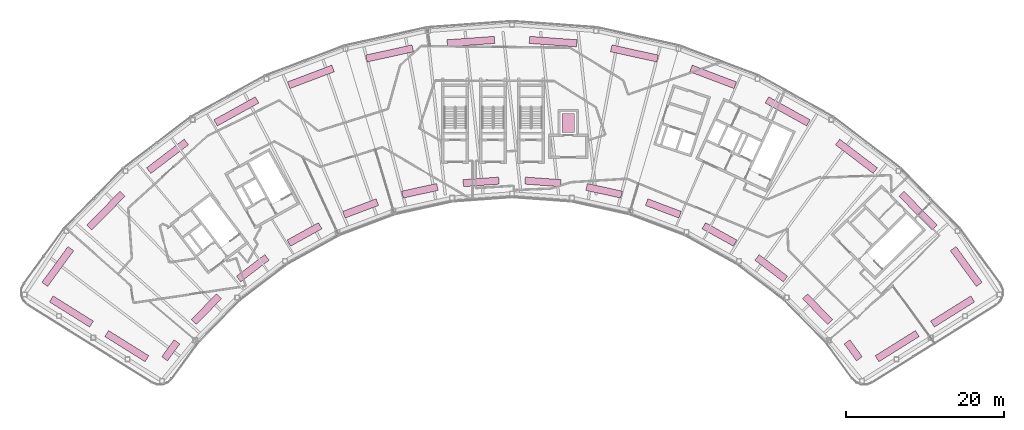
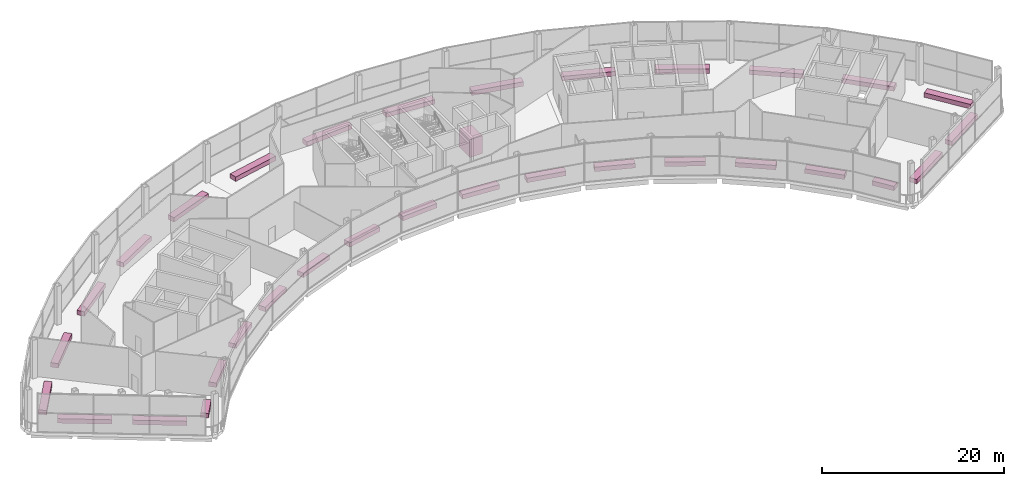
# One storey, part 44 of 44: 32 furnishings, 1 transport element.
"""IFC4 building model written with IfcOpenShell, lengths in metres."""

from ifc_helpers import new_model, si_unit, direction, frame, origin, origin_2d, place, context, subcontext, project, spatial, rectangle, extrude, material, type_object, element, save


model = new_model("IFC4")

# Units and contexts
model_context = context("Model", 3, precision=1e-05, world=origin(), true_north=direction((0.0, 1.0)))
body_context = subcontext(model_context, "Body", "Model", "MODEL_VIEW")
ifc_project = project(units=[si_unit("LENGTHUNIT", "METRE"), si_unit("AREAUNIT", "SQUARE_METRE"), si_unit("VOLUMEUNIT", "CUBIC_METRE"), si_unit("PLANEANGLEUNIT", "RADIAN"), si_unit("MASSUNIT", "GRAM", prefix="KILO")], contexts=[model_context])

# Site, building, storey
site_placement = place(None, origin())
site = spatial("IfcSite", under=ifc_project, at=site_placement, CompositionType="ELEMENT")
building_placement = place(site_placement, origin())
building = spatial("IfcBuilding", under=site, at=building_placement, Name="Tuul Gate Civic Tower", CompositionType="ELEMENT")
storey_placement = place(building_placement, frame((0.0, 0.0, 354.60009765625)))
storey = spatial("IfcBuildingStorey", under=building, at=storey_placement, Name="Observation level 2", CompositionType="ELEMENT", Elevation=354.60009765625)

# Transport element
ifc_material_1 = material(Name="Stainless steel", Category="steel")
transport_element_type = type_object("IfcTransportElementType", Name="Lift car", PredefinedType="ELEVATOR", material=ifc_material_1)
transport_element_placement = place(storey_placement, frame((9.300048828125, 1.39990234375, 0.0), z_axis=(0.0, 0.0, 1.0), x_axis=(1.0, 0.0, 0.0)))
element("IfcTransportElement", 1, at=transport_element_placement, inside=storey, type_object=transport_element_type, Name="Crown lift X4", PredefinedType="ELEVATOR", context=body_context, shape_type="SweptSolid", body=[
    extrude(rectangle(XDim=1.60009765625, YDim=2.39990234375, at=origin_2d()), origin(), (0.0, 0.0, 1.0), 2.39990234375),
])

# Furnishings
ifc_material_2 = material(Name="Planting soil")
furnishing_element_type = type_object("IfcFurnishingElementType", Name="Winter garden planter", material=ifc_material_2)
furnishing_1_placement = place(storey_placement, frame((59.668212890625, -16.767578125, -0.000244140625), z_axis=(0.0, 0.0, 1.0), x_axis=(-0.589760109881, 0.807578487079, 0.0)))
element("IfcFurnishingElement", 2, at=furnishing_1_placement, inside=storey, type_object=furnishing_element_type, Name="Planter", context=body_context, shape_type="SweptSolid", body=[
    extrude(rectangle(XDim=5.603515625, YDim=0.89990234375, at=origin_2d()), origin(), (0.0, 0.0, 1.0), 0.60009765625),
])
for number, where, z_axis, x_axis, name in (
    (3, (53.576904296875, -9.70068359375, -0.000244140625), (0.0, 0.0, 1.0), (-0.700043488595, 0.714100212908, 0.0), "Planter"),
    (4, (45.78173828125, -2.8212890625, -0.000244140625), (0.0, 0.0, 1.0), (-0.795611180684, 0.605807600786, 0.0), "Planter"),
    (5, (37.076416015625, 2.86279296875, -0.000244140625), (0.0, 0.0, 1.0), (-0.874631068374, 0.48478912347, 0.0), "Planter"),
    (6, (27.642822265625, 7.233154296875, -0.000244140625), (0.0, 0.0, 1.0), (-0.935346200905, 0.35373363489, 0.0), "Planter"),
    (7, (17.677978515625, 10.198486328125, -0.000244140625), (0.0, 0.0, 1.0), (-0.976566659334, 0.215215147882, 0.0), "Planter"),
    (8, (7.39013671875, 11.69677734375, -0.000244140625), (0.0, 0.0, 1.0), (-0.997387323989, 0.07223936563, 0.0), "Planter"),
    (9, (-3.006103515625, 11.69677734375, -0.000244140625), (0.0, 0.0, 1.0), (-0.997387323989, -0.07223936563, 0.0), "Planter"),
    (10, (-13.2939453125, 10.198486328125, -0.000244140625), (0.0, 0.0, 1.0), (-0.976566659334, -0.215215147882, 0.0), "Planter"),
    (11, (-23.2587890625, 7.233154296875, -0.000244140625), (0.0, 0.0, 1.0), (-0.935346200905, -0.35373363489, 0.0), "Planter"),
    (12, (-32.6923828125, 2.86279296875, -0.000244140625), (0.0, 0.0, 1.0), (-0.874631068374, -0.48478912347, 0.0), "Planter"),
    (13, (-41.397705078125, -2.8212890625, -0.000244140625), (0.0, 0.0, 1.0), (-0.795611180684, -0.605807600786, 0.0), "Planter"),
    (14, (-49.19287109375, -9.70068359375, -0.000244140625), (0.0, 0.0, 1.0), (-0.700043488595, -0.714100212908, 0.0), "Planter"),
):
    element("IfcFurnishingElement", number, at=place(storey_placement, frame(where, z_axis=z_axis, x_axis=x_axis)), inside=storey, type_object=furnishing_element_type, Name=name, context=body_context, shape_type="SweptSolid", body=[
        extrude(rectangle(XDim=6.0, YDim=0.89990234375, at=origin_2d()), origin(), (0.0, 0.0, 1.0), 0.60009765625),
    ])
furnishing_2_placement = place(storey_placement, frame((-55.284423828125, -16.767578125, -0.000244140625), z_axis=(0.0, 0.0, 1.0), x_axis=(-0.589760109881, -0.807578487079, 0.0)))
element("IfcFurnishingElement", 15, at=furnishing_2_placement, inside=storey, type_object=furnishing_element_type, Name="Planter", context=body_context, shape_type="SweptSolid", body=[
    extrude(rectangle(XDim=5.603515625, YDim=0.89990234375, at=origin_2d()), origin(), (0.0, 0.0, 1.0), 0.60009765625),
])
for number, where, z_axis, x_axis, name in (
    (16, (-53.562744140625, -22.46044921875, -0.000244140625), (0.0, 0.0, 1.0), (0.848052818366, -0.529911707044, 0.0), "Planter"),
    (17, (-46.545654296875, -26.844970703125, -0.000244140625), (0.0, 0.0, 1.0), (0.848052818366, -0.529911707044, 0.0), "Planter"),
):
    element("IfcFurnishingElement", number, at=place(storey_placement, frame(where, z_axis=z_axis, x_axis=x_axis)), inside=storey, type_object=furnishing_element_type, Name=name, context=body_context, shape_type="SweptSolid", body=[
        extrude(rectangle(XDim=6.0, YDim=0.89990234375, at=origin_2d()), origin(), (0.0, 0.0, 1.0), 0.60009765625),
    ])
furnishing_3_placement = place(storey_placement, frame((-40.9892578125, -27.3740234375, -0.000244140625), z_axis=(0.0, 0.0, 1.0), x_axis=(0.589737236717, 0.807595190444, 0.0)))
element("IfcFurnishingElement", 18, at=furnishing_3_placement, inside=storey, type_object=furnishing_element_type, Name="Planter", context=body_context, shape_type="SweptSolid", body=[
    extrude(rectangle(XDim=2.655029296875, YDim=0.89990234375, at=origin_2d()), origin(), (0.0, 0.0, 1.0), 0.60009765625),
])
furnishing_4_placement = place(storey_placement, frame((-36.4814453125, -22.160888671875, -0.000244140625), z_axis=(0.0, 0.0, 1.0), x_axis=(0.700096651008, 0.714048093092, 0.0)))
element("IfcFurnishingElement", 19, at=furnishing_4_placement, inside=storey, type_object=furnishing_element_type, Name="Planter", context=body_context, shape_type="SweptSolid", body=[
    extrude(rectangle(XDim=4.526123046875, YDim=0.89990234375, at=origin_2d()), origin(), (0.0, 0.0, 1.0), 0.60009765625),
])
for number, where, z_axis, x_axis, name in (
    (20, (-30.614990234375, -16.983642578125, -0.000244140625), (0.0, 0.0, 1.0), (0.795578092914, 0.605851052715, 0.0), "Planter"),
    (21, (-24.06298828125, -12.705322265625, -0.000244140625), (0.0, 0.0, 1.0), (0.874620635875, 0.48480794476, 0.0), "Planter"),
):
    element("IfcFurnishingElement", number, at=place(storey_placement, frame(where, z_axis=z_axis, x_axis=x_axis)), inside=storey, type_object=furnishing_element_type, Name=name, context=body_context, shape_type="SweptSolid", body=[
        extrude(rectangle(XDim=4.526611328125, YDim=0.89990234375, at=origin_2d()), origin(), (0.0, 0.0, 1.0), 0.60009765625),
    ])
for number, where, z_axis, x_axis, name in (
    (22, (-16.963134765625, -9.416259765625, -0.000244140625), (0.0, 0.0, 1.0), (0.935364679597, 0.353684769481, 0.0), "Planter"),
    (23, (-9.463623046875, -7.1845703125, -0.000244140625), (0.0, 0.0, 1.0), (0.976560749849, 0.215241961183, 0.0), "Planter"),
):
    element("IfcFurnishingElement", number, at=place(storey_placement, frame(where, z_axis=z_axis, x_axis=x_axis)), inside=storey, type_object=furnishing_element_type, Name=name, context=body_context, shape_type="SweptSolid", body=[
        extrude(rectangle(XDim=4.5263671875, YDim=0.89990234375, at=origin_2d()), origin(), (0.0, 0.0, 1.0), 0.60009765625),
    ])
for number, where, z_axis, x_axis, name in (
    (24, (-1.720458984375, -6.056640625, -0.000244140625), (0.0, 0.0, 1.0), (0.997384657179, 0.072276176045, 0.0), "Planter"),
    (25, (6.1044921875, -6.056640625, -0.000244140625), (0.0, 0.0, 1.0), (0.997384657179, -0.072276176045, 0.0), "Planter"),
):
    element("IfcFurnishingElement", number, at=place(storey_placement, frame(where, z_axis=z_axis, x_axis=x_axis)), inside=storey, type_object=furnishing_element_type, Name=name, context=body_context, shape_type="SweptSolid", body=[
        extrude(rectangle(XDim=4.526611328125, YDim=0.89990234375, at=origin_2d()), origin(), (0.0, 0.0, 1.0), 0.60009765625),
    ])
for number, where, z_axis, x_axis, name in (
    (26, (13.847412109375, -7.1845703125, -0.000244140625), (0.0, 0.0, 1.0), (0.976560749849, -0.215241961183, 0.0), "Planter"),
    (27, (21.34716796875, -9.416259765625, -0.000244140625), (0.0, 0.0, 1.0), (0.935364679597, -0.353684769481, 0.0), "Planter"),
):
    element("IfcFurnishingElement", number, at=place(storey_placement, frame(where, z_axis=z_axis, x_axis=x_axis)), inside=storey, type_object=furnishing_element_type, Name=name, context=body_context, shape_type="SweptSolid", body=[
        extrude(rectangle(XDim=4.5263671875, YDim=0.89990234375, at=origin_2d()), origin(), (0.0, 0.0, 1.0), 0.60009765625),
    ])
for number, where, z_axis, x_axis, name in (
    (28, (28.447021484375, -12.705322265625, -0.000244140625), (0.0, 0.0, 1.0), (0.874620635875, -0.48480794476, 0.0), "Planter"),
    (29, (34.998779296875, -16.983642578125, -0.000244140625), (0.0, 0.0, 1.0), (0.795578092914, -0.605851052715, 0.0), "Planter"),
):
    element("IfcFurnishingElement", number, at=place(storey_placement, frame(where, z_axis=z_axis, x_axis=x_axis)), inside=storey, type_object=furnishing_element_type, Name=name, context=body_context, shape_type="SweptSolid", body=[
        extrude(rectangle(XDim=4.526611328125, YDim=0.89990234375, at=origin_2d()), origin(), (0.0, 0.0, 1.0), 0.60009765625),
    ])
furnishing_5_placement = place(storey_placement, frame((40.865478515625, -22.160888671875, -0.000244140625), z_axis=(0.0, 0.0, 1.0), x_axis=(0.700096651008, -0.714048093092, 0.0)))
element("IfcFurnishingElement", 30, at=furnishing_5_placement, inside=storey, type_object=furnishing_element_type, Name="Planter", context=body_context, shape_type="SweptSolid", body=[
    extrude(rectangle(XDim=4.526123046875, YDim=0.89990234375, at=origin_2d()), origin(), (0.0, 0.0, 1.0), 0.60009765625),
])
furnishing_6_placement = place(storey_placement, frame((45.373291015625, -27.3740234375, -0.000244140625), z_axis=(0.0, 0.0, 1.0), x_axis=(0.589737236717, -0.807595190444, 0.0)))
element("IfcFurnishingElement", 31, at=furnishing_6_placement, inside=storey, type_object=furnishing_element_type, Name="Planter", context=body_context, shape_type="SweptSolid", body=[
    extrude(rectangle(XDim=2.655029296875, YDim=0.89990234375, at=origin_2d()), origin(), (0.0, 0.0, 1.0), 0.60009765625),
])
for number, where, z_axis, x_axis, name in (
    (32, (50.9296875, -26.844970703125, -0.000244140625), (0.0, 0.0, 1.0), (0.848052818366, 0.529911707044, 0.0), "Planter"),
    (33, (57.94677734375, -22.46044921875, -0.000244140625), (0.0, 0.0, 1.0), (0.848052818366, 0.529911707044, 0.0), "Planter"),
):
    element("IfcFurnishingElement", number, at=place(storey_placement, frame(where, z_axis=z_axis, x_axis=x_axis)), inside=storey, type_object=furnishing_element_type, Name=name, context=body_context, shape_type="SweptSolid", body=[
        extrude(rectangle(XDim=6.0, YDim=0.89990234375, at=origin_2d()), origin(), (0.0, 0.0, 1.0), 0.60009765625),
    ])

save(model, "model.ifc")
